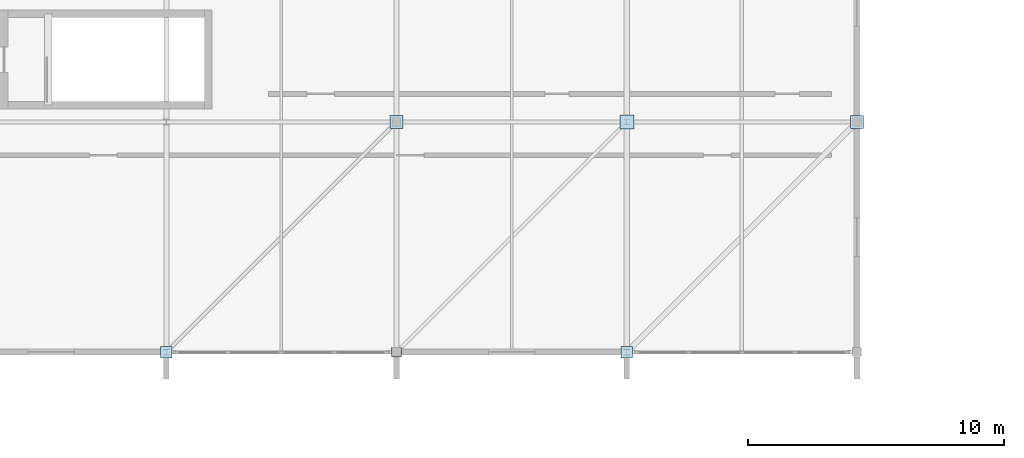
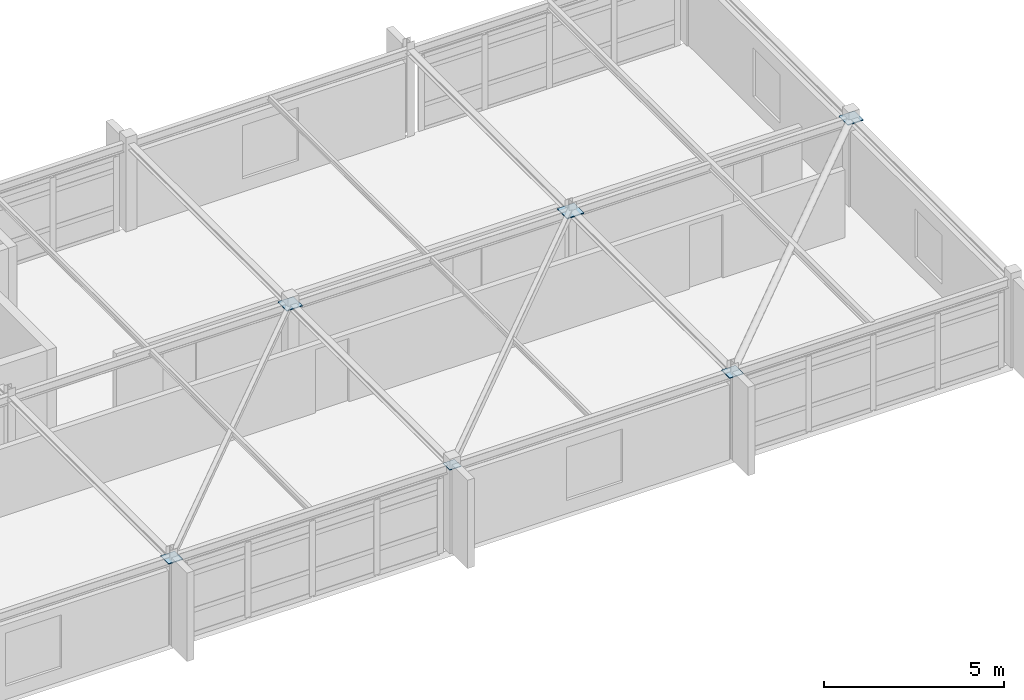
# One storey, part 53 of 83: 6 plates.
"""IFC4 building model written with IfcOpenShell, lengths in metres."""

import ifcopenshell
import ifcopenshell.guid

model = None  # the IFC model being written
_history = None  # IfcOwnerHistory: only IFC2X3 demands one
_inside = {}  # id of a spatial element -> (the spatial element, [elements in it])
_under = {}  # id of a project, library or spatial element -> (it, [spatial elements below it])
_declared = {}  # id of a project -> (the project, [libraries it declares])
_typed = {}  # id of a type object -> (the type object, [elements of that type])
_made_of = {}  # id of a material, layer set ... -> (it, [elements and type objects made of it])


def new_model(schema):
    """Start an empty IFC model of exactly this schema.

    Asked for "IFC4X3", IfcOpenShell would pick the latest addendum, in which some entities
    have other attributes; the version numbers below select the first issue.
    IFC2X3 requires an IfcOwnerHistory on every rooted entity: one is made here for all.
    """
    global model, _history
    if schema == "IFC4X3":
        model = ifcopenshell.file(schema_version=(4, 3, 0, 0))
    else:
        model = ifcopenshell.file(schema=schema)
    _inside.clear()
    _under.clear()
    _declared.clear()
    _typed.clear()
    _made_of.clear()
    _history = None
    if model.schema == "IFC2X3":
        org = make("IfcOrganization", Name="unknown")
        user = make(
            "IfcPersonAndOrganization",
            ThePerson=make("IfcPerson", FamilyName="unknown"),
            TheOrganization=org,
        )
        app = make(
            "IfcApplication",
            ApplicationDeveloper=org,
            Version="unknown",
            ApplicationFullName="unknown",
            ApplicationIdentifier="unknown",
        )
        _history = make(
            "IfcOwnerHistory",
            OwningUser=user,
            OwningApplication=app,
            ChangeAction="ADDED",
            CreationDate=0,
        )
    return model


def make(cls, **values):
    """One entity of the class cls with the attributes given. An attribute that is None is left unset."""
    return model.create_entity(
        cls, **{name: value for name, value in values.items() if value is not None}
    )


def rooted(cls, **values):
    """An entity with a GlobalId (a new one), such as an element, a storey or a relation."""
    return make(cls, GlobalId=ifcopenshell.guid.new(), OwnerHistory=_history, **values)


def si_unit(unit_type, name, prefix=None):
    """IfcSIUnit, for example si_unit("LENGTHUNIT", "METRE", prefix="MILLI")."""
    return make("IfcSIUnit", UnitType=unit_type, Prefix=prefix, Name=name)


def assignment(units):
    """IfcUnitAssignment: the units of a project."""
    return None if units is None else make("IfcUnitAssignment", Units=units)


def point(xyz):
    """IfcCartesianPoint."""
    return None if xyz is None else make("IfcCartesianPoint", Coordinates=xyz)


def direction(xyz):
    """IfcDirection."""
    return None if xyz is None else make("IfcDirection", DirectionRatios=xyz)


def frame(location, z_axis=None, x_axis=None):
    """IfcAxis2Placement3D, a coordinate frame: its origin and axes. An axis left out is left unset."""
    return make(
        "IfcAxis2Placement3D",
        Location=point(location),
        Axis=direction(z_axis),
        RefDirection=direction(x_axis),
    )


def frame_2d(location, x_axis=None):
    """IfcAxis2Placement2D, a coordinate frame in the plane: its origin and x axis."""
    return make(
        "IfcAxis2Placement2D", Location=point(location), RefDirection=direction(x_axis)
    )


def origin():
    """The frame at (0, 0, 0) with its axes left unset."""
    return frame((0.0, 0.0, 0.0))


def origin_2d():
    """The frame at (0, 0) in the plane with its x axis left unset."""
    return frame_2d((0.0, 0.0))


def place(relative_to, where):
    """IfcLocalPlacement: puts the frame where relative to a parent placement (None: the world)."""
    return make(
        "IfcLocalPlacement", PlacementRelTo=relative_to, RelativePlacement=where
    )


def context(
    kind, dimensions, precision=None, world=None, true_north=None, identifier=None
):
    """IfcGeometricRepresentationContext, for example the 3D "Model" context."""
    return make(
        "IfcGeometricRepresentationContext",
        ContextIdentifier=identifier,
        ContextType=kind,
        CoordinateSpaceDimension=dimensions,
        Precision=precision,
        WorldCoordinateSystem=world,
        TrueNorth=true_north,
    )


def subcontext(parent, identifier, kind, view, scale=None):
    """IfcGeometricRepresentationSubContext, for example "Body" below "Model"."""
    return make(
        "IfcGeometricRepresentationSubContext",
        ContextIdentifier=identifier,
        ContextType=kind,
        ParentContext=parent,
        TargetScale=scale,
        TargetView=view,
    )


def project(units=None, contexts=None):
    """IfcProject with its units and contexts."""
    return rooted(
        "IfcProject",
        Name="project",
        RepresentationContexts=contexts,
        UnitsInContext=assignment(units),
    )


def spatial(cls, under=None, at=None, **own):
    """A site, building, storey or space (cls), placed at a placement, below another one or the project."""
    s = rooted(cls, ObjectPlacement=at, **own)
    if under is not None:
        _under.setdefault(under.id(), (under, []))[1].append(s)
    return s


def profile(cls, at=None, kind="AREA", **sizes):
    """A parametric profile (cls). Its sizes go by their IFC names, for example OverallWidth=200.0."""
    return make(cls, ProfileType=kind, Position=at, **sizes)


def rectangle(**sizes):
    """IfcRectangleProfileDef."""
    return profile("IfcRectangleProfileDef", **sizes)


def extrude(swept, where, along, depth):
    """IfcExtrudedAreaSolid: the profile swept, set in the frame where, extruded along a direction by depth."""
    return make(
        "IfcExtrudedAreaSolid",
        SweptArea=swept,
        Position=where,
        ExtrudedDirection=direction(along),
        Depth=depth,
    )


def shape(context_of_items, identifier, shape_type, items):
    """IfcShapeRepresentation: the items that make up one representation, for example the "Body"."""
    return make(
        "IfcShapeRepresentation",
        ContextOfItems=context_of_items,
        RepresentationIdentifier=identifier,
        RepresentationType=shape_type,
        Items=items,
    )


def material(Name=None, Category=None):
    """IfcMaterial."""
    return make("IfcMaterial", Name=Name, Category=Category)


def layer(
    of_material, thickness, ventilated=None, Name=None, Category=None, Priority=None
):
    """IfcMaterialLayer: one layer of a wall or slab, of a material (None: an air gap)."""
    return make(
        "IfcMaterialLayer",
        Material=of_material,
        LayerThickness=thickness,
        IsVentilated=ventilated,
        Name=Name,
        Category=Category,
        Priority=Priority,
    )


def layer_set(layers, Name=None):
    """IfcMaterialLayerSet."""
    return make("IfcMaterialLayerSet", MaterialLayers=layers, LayerSetName=Name)


def made_of(thing, what):
    """Note that an element or type object is made of a material, layer set ...; save() writes the relation."""
    if what is not None:
        _made_of.setdefault(what.id(), (what, []))[1].append(thing)
    return thing


def type_object(cls, material=None, **own):
    """A type object (cls), such as IfcWallType, which elements share."""
    return made_of(rooted(cls, **own), material)


def element(
    cls,
    number,
    at=None,
    inside=None,
    cuts=None,
    type_object=None,
    material=None,
    context=None,
    identifier="Body",
    shape_type=None,
    held_by="IfcProductDefinitionShape",
    body=None,
    shapes=None,
    **own,
):
    """One element of the class cls, such as IfcWall. Its Tag is "e" and its number.

    at: its placement. inside: the storey or other place that contains it. cuts: it is an
    opening in that element (IfcRelVoidsElement). A single representation is given by context,
    identifier, shape_type and body (its items); several are given by shapes. held_by: the class
    of the entity that holds the representations. save() writes the other relations.
    """
    e = rooted(cls, Tag="e%d" % number, ObjectPlacement=at, **own)
    if body is not None:
        shapes = [shape(context, identifier, shape_type, body)]
    if shapes is not None:
        e.Representation = make(held_by, Representations=shapes)
    if inside is not None:
        _inside.setdefault(inside.id(), (inside, []))[1].append(e)
    if cuts is not None:
        rooted(
            "IfcRelVoidsElement", RelatingBuildingElement=cuts, RelatedOpeningElement=e
        )
    if type_object is not None:
        _typed.setdefault(type_object.id(), (type_object, []))[1].append(e)
    return made_of(e, material)


def aggregate(whole, parts):
    """IfcRelAggregates: a whole, such as a stair, and the parts it consists of."""
    return rooted("IfcRelAggregates", RelatingObject=whole, RelatedObjects=parts)


def save(model, path):
    """Write the relations noted so far, then the file.

    IfcRelAggregates (storeys below a building ...), IfcRelContainedInSpatialStructure (elements
    in a storey), IfcRelDefinesByType, IfcRelAssociatesMaterial and IfcRelDeclares: one each for
    every whole, place, type object, material and project.
    """
    for whole, parts in _under.values():
        aggregate(whole, parts)
    for where, things in _inside.values():
        rooted(
            "IfcRelContainedInSpatialStructure",
            RelatedElements=things,
            RelatingStructure=where,
        )
    for kind, things in _typed.values():
        rooted("IfcRelDefinesByType", RelatedObjects=things, RelatingType=kind)
    for what, things in _made_of.values():
        rooted("IfcRelAssociatesMaterial", RelatedObjects=things, RelatingMaterial=what)
    for by, libraries in _declared.values():
        rooted("IfcRelDeclares", RelatingContext=by, RelatedDefinitions=libraries)
    model.write(path)


model = new_model("IFC4")

# Units and contexts
model_context = context("Model", 3, precision=1e-05, world=origin(), true_north=direction((0.0, 1.0)))
body_context = subcontext(model_context, "Body", "Model", "MODEL_VIEW")
ifc_project = project(units=[si_unit("LENGTHUNIT", "METRE"), si_unit("AREAUNIT", "SQUARE_METRE"), si_unit("VOLUMEUNIT", "CUBIC_METRE"), si_unit("PLANEANGLEUNIT", "RADIAN"), si_unit("MASSUNIT", "GRAM", prefix="KILO")], contexts=[model_context])

# Site, building, storey
site_placement = place(None, origin())
site = spatial("IfcSite", under=ifc_project, at=site_placement, CompositionType="ELEMENT")
building_placement = place(site_placement, origin())
building = spatial("IfcBuilding", under=site, at=building_placement, Name="Zimvara Arc Housing Community", CompositionType="ELEMENT")
storey_placement = place(building_placement, frame((0.0, 0.0, 4.5)))
storey = spatial("IfcBuildingStorey", under=building, at=storey_placement, Name="L01", CompositionType="ELEMENT", Elevation=4.5)

# Plates
ifc_material_1 = material(Name="Steel S355", Category="steel")
ifc_layer_1 = layer(ifc_material_1, 0.02490234375)
ifc_layer_set_1 = layer_set([ifc_layer_1], Name="Steel S355")
plate_type_1 = type_object("IfcPlateType", Name="PLT-CONN-01", PredefinedType="SHEET", material=ifc_layer_set_1)
for number, where, z_axis, x_axis, name in (
    (1, (121.0, 3.60009765625, 2.837646484375), (0.0, 0.0, 1.0), (1.0, 0.0, 0.0), "plate:brace_end:041"),
    (2, (139.0, 3.60009765625, 2.837646484375), (0.0, 0.0, 1.0), (1.0, 0.0, 0.0), "plate:brace_end:045"),
):
    element("IfcPlate", number, at=place(storey_placement, frame(where, z_axis=z_axis, x_axis=x_axis)), inside=storey, type_object=plate_type_1, Name=name, PredefinedType="SHEET", context=body_context, shape_type="SweptSolid", body=[
        extrude(rectangle(XDim=0.449951171875, YDim=0.449951171875, at=origin_2d()), origin(), (0.0, 0.0, 1.0), 0.02490234375),
    ])
ifc_material_2 = material(Name="Steel S355", Category="steel")
ifc_layer_2 = layer(ifc_material_2, 0.030029296875)
ifc_layer_set_2 = layer_set([ifc_layer_2], Name="Steel S355")
plate_type_2 = type_object("IfcPlateType", Name="PLT-CONN-02", PredefinedType="SHEET", material=ifc_layer_set_2)
for number, where, z_axis, x_axis, name in (
    (3, (130.0, 12.60009765625, 2.8349609375), (0.0, 0.0, 1.0), (1.0, 0.0, 0.0), "plate:brace_end:042"),
    (4, (148.0, 12.60009765625, 2.8349609375), (0.0, 0.0, 1.0), (1.0, 0.0, 0.0), "plate:brace_end:046"),
):
    element("IfcPlate", number, at=place(storey_placement, frame(where, z_axis=z_axis, x_axis=x_axis)), inside=storey, type_object=plate_type_2, Name=name, PredefinedType="SHEET", context=body_context, shape_type="SweptSolid", body=[
        extrude(rectangle(XDim=0.5, YDim=0.5, at=origin_2d()), origin(), (0.0, 0.0, 1.0), 0.030029296875),
    ])
ifc_material_3 = material(Name="Steel S355", Category="steel")
ifc_layer_3 = layer(ifc_material_3, 0.02197265625)
ifc_layer_set_3 = layer_set([ifc_layer_3], Name="Steel S355")
plate_type_3 = type_object("IfcPlateType", Name="PLT-CONN-03", PredefinedType="SHEET", material=ifc_layer_set_3)
plate_1_placement = place(storey_placement, frame((130.0, 3.60009765625, 2.839111328125), z_axis=(0.0, 0.0, 1.0), x_axis=(1.0, 0.0, 0.0)))
element("IfcPlate", 5, at=plate_1_placement, inside=storey, type_object=plate_type_3, Name="plate:brace_end:043", PredefinedType="SHEET", context=body_context, shape_type="SweptSolid", body=[
    extrude(rectangle(XDim=0.3798828125, YDim=0.3798828125, at=origin_2d()), origin(), (0.0, 0.0, 1.0), 0.02197265625),
])
ifc_material_4 = material(Name="Steel S355", Category="steel")
ifc_layer_4 = layer(ifc_material_4, 0.034912109375)
ifc_layer_set_4 = layer_set([ifc_layer_4], Name="Steel S355")
plate_type_4 = type_object("IfcPlateType", Name="PLT-CONN-04", PredefinedType="SHEET", material=ifc_layer_set_4)
plate_2_placement = place(storey_placement, frame((139.0, 12.60009765625, 2.83251953125), z_axis=(0.0, 0.0, 1.0), x_axis=(1.0, 0.0, 0.0)))
element("IfcPlate", 6, at=plate_2_placement, inside=storey, type_object=plate_type_4, Name="plate:brace_end:044", PredefinedType="SHEET", context=body_context, shape_type="SweptSolid", body=[
    extrude(rectangle(XDim=0.550048828125, YDim=0.550048828125, at=origin_2d()), origin(), (0.0, 0.0, 1.0), 0.034912109375),
])

save(model, "model.ifc")
